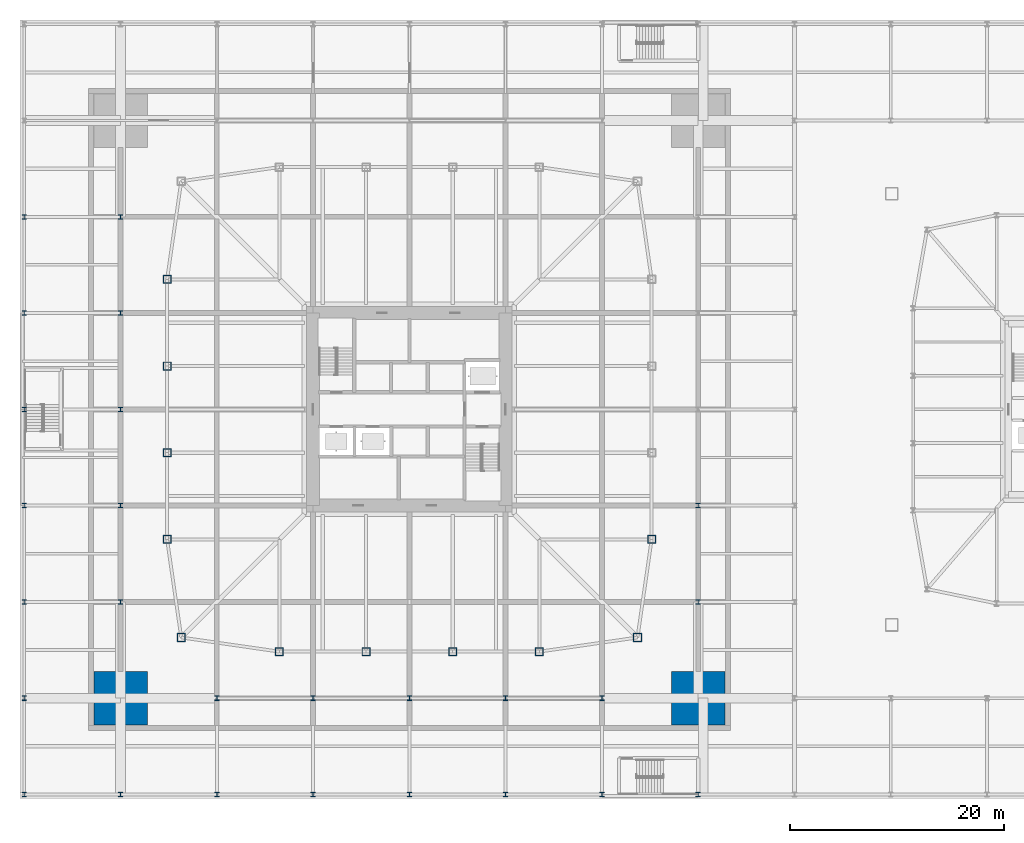
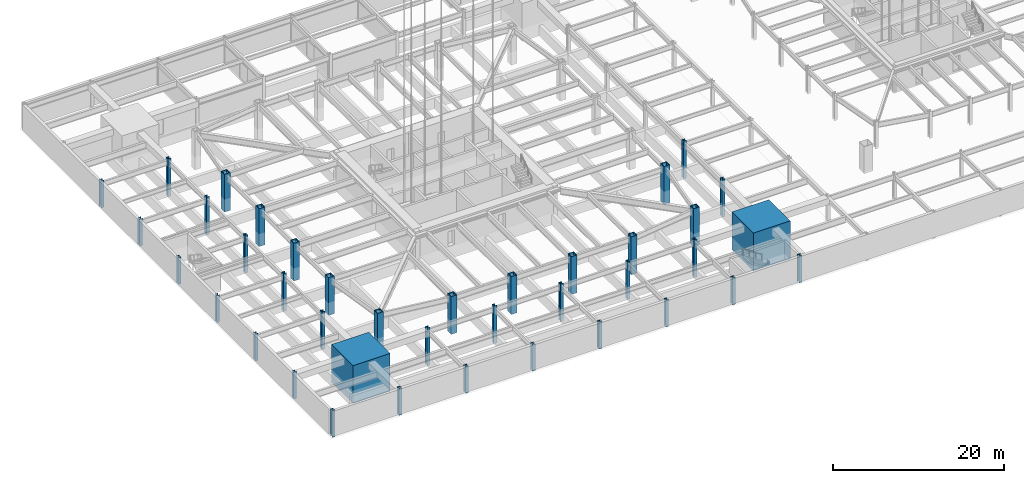
# One storey, part 1 of 35: 39 columns.
"""IFC4 building model written with IfcOpenShell, lengths in metres."""

from ifc_helpers import new_model, si_unit, direction, frame, origin, origin_2d, place, context, subcontext, project, spatial, rectangle, hollow_rectangle, i_section, extrude, material, material_profile, profile_set, type_object, element, save


model = new_model("IFC4")

# Units and contexts
model_context = context("Model", 3, precision=1e-05, world=origin(), true_north=direction((0.0, 1.0)))
body_context = subcontext(model_context, "Body", "Model", "MODEL_VIEW")
ifc_project = project(units=[si_unit("LENGTHUNIT", "METRE"), si_unit("AREAUNIT", "SQUARE_METRE"), si_unit("VOLUMEUNIT", "CUBIC_METRE"), si_unit("PLANEANGLEUNIT", "RADIAN"), si_unit("MASSUNIT", "GRAM", prefix="KILO")], contexts=[model_context])

# Site, building, storey
site_placement = place(None, origin())
site = spatial("IfcSite", under=ifc_project, at=site_placement, CompositionType="ELEMENT")
building_placement = place(site_placement, origin())
building = spatial("IfcBuilding", under=site, at=building_placement, Name="Iwan Alto Co-Living Towers", CompositionType="ELEMENT")
storey_placement = place(building_placement, frame((0.0, 0.0, -7.199951171875)))
storey = spatial("IfcBuildingStorey", under=building, at=storey_placement, Name="B2", CompositionType="ELEMENT", Elevation=-7.199951171875)

# Columns
ifc_material_1 = material(Name="Steel ASTM A992 Gr 50", Category="steel")
ifc_material_profile_1 = material_profile(ifc_material_1, i_section(OverallWidth=0.411376953125, OverallDepth=0.434326171875, WebThickness=0.035888671875, FlangeThickness=0.057373046875, at=origin_2d()), Name="W14X311")
ifc_profile_set_1 = profile_set([ifc_material_profile_1], Name="Steel ASTM A992 Gr 50")
column_type_1 = type_object("IfcColumnType", Name="PODIUM COLUMN W14X311", PredefinedType="COLUMN", material=ifc_profile_set_1)
for number, where, z_axis, x_axis, name in (
    (1, (-36.0, -36.0, -0.25), (0.0, 0.0, 1.0), (1.0, 0.0, 0.0), "Podium column 1/A B2"),
    (2, (-36.0, -27.0, -0.25), (0.0, 0.0, 1.0), (1.0, 0.0, 0.0), "Podium column 1/B B2"),
    (3, (-36.0, -18.0, -0.25), (0.0, 0.0, 1.0), (1.0, 0.0, 0.0), "Podium column 1/C B2"),
    (4, (-36.0, -9.0, -0.25), (0.0, 0.0, 1.0), (1.0, 0.0, 0.0), "Podium column 1/D B2"),
    (5, (-36.0, 0.0, -0.25), (0.0, 0.0, 1.0), (1.0, 0.0, 0.0), "Podium column 1/E B2"),
    (6, (-36.0, 9.0, -0.25), (0.0, 0.0, 1.0), (1.0, 0.0, 0.0), "Podium column 1/F B2"),
    (7, (-36.0, 18.0, -0.25), (0.0, 0.0, 1.0), (1.0, 0.0, 0.0), "Podium column 1/G B2"),
    (8, (-27.0, -36.0, -0.25), (0.0, 0.0, 1.0), (1.0, 0.0, 0.0), "Podium column 2/A B2"),
):
    element("IfcColumn", number, at=place(storey_placement, frame(where, z_axis=z_axis, x_axis=x_axis)), inside=storey, type_object=column_type_1, Name=name, PredefinedType="COLUMN", context=body_context, shape_type="SweptSolid", body=[
        extrude(i_section(OverallWidth=0.411376953125, OverallDepth=0.434326171875, WebThickness=0.035888671875, FlangeThickness=0.057373046875, at=origin_2d()), origin(), (0.0, 0.0, 1.0), 3.849853515625),
    ])
for number, where, z_axis, x_axis, name in (
    (9, (-27.0, -18.0, -1.800048828125), (0.0, 0.0, 1.0), (1.0, 0.0, 0.0), "Podium column 2/C B2"),
    (10, (-27.0, -9.0, -1.800048828125), (0.0, 0.0, 1.0), (1.0, 0.0, 0.0), "Podium column 2/D B2"),
    (11, (-27.0, 0.0, -1.800048828125), (0.0, 0.0, 1.0), (1.0, 0.0, 0.0), "Podium column 2/E B2"),
    (12, (-27.0, 9.0, -1.800048828125), (0.0, 0.0, 1.0), (1.0, 0.0, 0.0), "Podium column 2/F B2"),
    (13, (-27.0, 18.0, -1.800048828125), (0.0, 0.0, 1.0), (1.0, 0.0, 0.0), "Podium column 2/G B2"),
):
    element("IfcColumn", number, at=place(storey_placement, frame(where, z_axis=z_axis, x_axis=x_axis)), inside=storey, type_object=column_type_1, Name=name, PredefinedType="COLUMN", context=body_context, shape_type="SweptSolid", body=[
        extrude(i_section(OverallWidth=0.411376953125, OverallDepth=0.434326171875, WebThickness=0.035888671875, FlangeThickness=0.057373046875, at=origin_2d()), origin(), (0.0, 0.0, 1.0), 5.39990234375),
    ])
column_1_placement = place(storey_placement, frame((-18.0, -36.0, -0.25), z_axis=(0.0, 0.0, 1.0), x_axis=(1.0, 0.0, 0.0)))
element("IfcColumn", 14, at=column_1_placement, inside=storey, type_object=column_type_1, Name="Podium column 3/A B2", PredefinedType="COLUMN", context=body_context, shape_type="SweptSolid", body=[
    extrude(i_section(OverallWidth=0.411376953125, OverallDepth=0.434326171875, WebThickness=0.035888671875, FlangeThickness=0.057373046875, at=origin_2d()), origin(), (0.0, 0.0, 1.0), 3.849853515625),
])
column_2_placement = place(storey_placement, frame((-18.0, -27.0, -1.800048828125), z_axis=(0.0, 0.0, 1.0), x_axis=(1.0, 0.0, 0.0)))
element("IfcColumn", 15, at=column_2_placement, inside=storey, type_object=column_type_1, Name="Podium column 3/B B2", PredefinedType="COLUMN", context=body_context, shape_type="SweptSolid", body=[
    extrude(i_section(OverallWidth=0.411376953125, OverallDepth=0.434326171875, WebThickness=0.035888671875, FlangeThickness=0.057373046875, at=origin_2d()), origin(), (0.0, 0.0, 1.0), 5.39990234375),
])
column_3_placement = place(storey_placement, frame((-9.0, -36.0, -0.25), z_axis=(0.0, 0.0, 1.0), x_axis=(1.0, 0.0, 0.0)))
element("IfcColumn", 16, at=column_3_placement, inside=storey, type_object=column_type_1, Name="Podium column 4/A B2", PredefinedType="COLUMN", context=body_context, shape_type="SweptSolid", body=[
    extrude(i_section(OverallWidth=0.411376953125, OverallDepth=0.434326171875, WebThickness=0.035888671875, FlangeThickness=0.057373046875, at=origin_2d()), origin(), (0.0, 0.0, 1.0), 3.849853515625),
])
column_4_placement = place(storey_placement, frame((-9.0, -27.0, -1.800048828125), z_axis=(0.0, 0.0, 1.0), x_axis=(1.0, 0.0, 0.0)))
element("IfcColumn", 17, at=column_4_placement, inside=storey, type_object=column_type_1, Name="Podium column 4/B B2", PredefinedType="COLUMN", context=body_context, shape_type="SweptSolid", body=[
    extrude(i_section(OverallWidth=0.411376953125, OverallDepth=0.434326171875, WebThickness=0.035888671875, FlangeThickness=0.057373046875, at=origin_2d()), origin(), (0.0, 0.0, 1.0), 5.39990234375),
])
column_5_placement = place(storey_placement, frame((0.0, -36.0, -0.25), z_axis=(0.0, 0.0, 1.0), x_axis=(1.0, 0.0, 0.0)))
element("IfcColumn", 18, at=column_5_placement, inside=storey, type_object=column_type_1, Name="Podium column 5/A B2", PredefinedType="COLUMN", context=body_context, shape_type="SweptSolid", body=[
    extrude(i_section(OverallWidth=0.411376953125, OverallDepth=0.434326171875, WebThickness=0.035888671875, FlangeThickness=0.057373046875, at=origin_2d()), origin(), (0.0, 0.0, 1.0), 3.849853515625),
])
column_6_placement = place(storey_placement, frame((0.0, -27.0, -1.800048828125), z_axis=(0.0, 0.0, 1.0), x_axis=(1.0, 0.0, 0.0)))
element("IfcColumn", 19, at=column_6_placement, inside=storey, type_object=column_type_1, Name="Podium column 5/B B2", PredefinedType="COLUMN", context=body_context, shape_type="SweptSolid", body=[
    extrude(i_section(OverallWidth=0.411376953125, OverallDepth=0.434326171875, WebThickness=0.035888671875, FlangeThickness=0.057373046875, at=origin_2d()), origin(), (0.0, 0.0, 1.0), 5.39990234375),
])
column_7_placement = place(storey_placement, frame((9.0, -36.0, -0.25), z_axis=(0.0, 0.0, 1.0), x_axis=(1.0, 0.0, 0.0)))
element("IfcColumn", 20, at=column_7_placement, inside=storey, type_object=column_type_1, Name="Podium column 6/A B2", PredefinedType="COLUMN", context=body_context, shape_type="SweptSolid", body=[
    extrude(i_section(OverallWidth=0.411376953125, OverallDepth=0.434326171875, WebThickness=0.035888671875, FlangeThickness=0.057373046875, at=origin_2d()), origin(), (0.0, 0.0, 1.0), 3.849853515625),
])
column_8_placement = place(storey_placement, frame((9.0, -27.0, -1.800048828125), z_axis=(0.0, 0.0, 1.0), x_axis=(1.0, 0.0, 0.0)))
element("IfcColumn", 21, at=column_8_placement, inside=storey, type_object=column_type_1, Name="Podium column 6/B B2", PredefinedType="COLUMN", context=body_context, shape_type="SweptSolid", body=[
    extrude(i_section(OverallWidth=0.411376953125, OverallDepth=0.434326171875, WebThickness=0.035888671875, FlangeThickness=0.057373046875, at=origin_2d()), origin(), (0.0, 0.0, 1.0), 5.39990234375),
])
column_9_placement = place(storey_placement, frame((18.0, -36.0, -0.25), z_axis=(0.0, 0.0, 1.0), x_axis=(1.0, 0.0, 0.0)))
element("IfcColumn", 22, at=column_9_placement, inside=storey, type_object=column_type_1, Name="Podium column 7/A B2", PredefinedType="COLUMN", context=body_context, shape_type="SweptSolid", body=[
    extrude(i_section(OverallWidth=0.411376953125, OverallDepth=0.434326171875, WebThickness=0.035888671875, FlangeThickness=0.057373046875, at=origin_2d()), origin(), (0.0, 0.0, 1.0), 3.849853515625),
])
column_10_placement = place(storey_placement, frame((18.0, -27.0, -1.800048828125), z_axis=(0.0, 0.0, 1.0), x_axis=(1.0, 0.0, 0.0)))
element("IfcColumn", 23, at=column_10_placement, inside=storey, type_object=column_type_1, Name="Podium column 7/B B2", PredefinedType="COLUMN", context=body_context, shape_type="SweptSolid", body=[
    extrude(i_section(OverallWidth=0.411376953125, OverallDepth=0.434326171875, WebThickness=0.035888671875, FlangeThickness=0.057373046875, at=origin_2d()), origin(), (0.0, 0.0, 1.0), 5.39990234375),
])
column_11_placement = place(storey_placement, frame((27.0, -36.0, -0.25), z_axis=(0.0, 0.0, 1.0), x_axis=(1.0, 0.0, 0.0)))
element("IfcColumn", 24, at=column_11_placement, inside=storey, type_object=column_type_1, Name="Podium column 8/A B2", PredefinedType="COLUMN", context=body_context, shape_type="SweptSolid", body=[
    extrude(i_section(OverallWidth=0.411376953125, OverallDepth=0.434326171875, WebThickness=0.035888671875, FlangeThickness=0.057373046875, at=origin_2d()), origin(), (0.0, 0.0, 1.0), 3.849853515625),
])
for number, where, z_axis, x_axis, name in (
    (25, (27.0, -18.0, -1.800048828125), (0.0, 0.0, 1.0), (1.0, 0.0, 0.0), "Podium column 8/C B2"),
    (26, (27.0, -9.0, -1.800048828125), (0.0, 0.0, 1.0), (1.0, 0.0, 0.0), "Podium column 8/D B2"),
):
    element("IfcColumn", number, at=place(storey_placement, frame(where, z_axis=z_axis, x_axis=x_axis)), inside=storey, type_object=column_type_1, Name=name, PredefinedType="COLUMN", context=body_context, shape_type="SweptSolid", body=[
        extrude(i_section(OverallWidth=0.411376953125, OverallDepth=0.434326171875, WebThickness=0.035888671875, FlangeThickness=0.057373046875, at=origin_2d()), origin(), (0.0, 0.0, 1.0), 5.39990234375),
    ])
ifc_material_2 = material(Name="Concrete f'c 70 MPa", Category="concrete")
ifc_material_profile_2 = material_profile(ifc_material_2, rectangle(XDim=5.0, YDim=5.0, at=origin_2d()), Name="RC 5000X5000")
ifc_profile_set_2 = profile_set([ifc_material_profile_2], Name="Concrete f'c 70 MPa")
column_type_2 = type_object("IfcColumnType", Name="T1 MEGA COLUMN RC 5000X5000", PredefinedType="COLUMN", material=ifc_profile_set_2)
for number, where, z_axis, x_axis, name in (
    (27, (-27.0, -27.0, -1.800048828125), (0.0, 0.0, 1.0), (1.0, 0.0, 0.0), "T1 mega column SW B2"),
    (28, (27.0, -27.0, -1.800048828125), (0.0, 0.0, 1.0), (1.0, 0.0, 0.0), "T1 mega column SE B2"),
):
    element("IfcColumn", number, at=place(storey_placement, frame(where, z_axis=z_axis, x_axis=x_axis)), inside=storey, type_object=column_type_2, Name=name, PredefinedType="COLUMN", context=body_context, shape_type="SweptSolid", body=[
        extrude(rectangle(XDim=5.0, YDim=5.0, at=origin_2d()), origin(), (0.0, 0.0, 1.0), 5.39990234375),
        extrude(i_section(OverallWidth=0.4775390625, OverallDepth=0.599365234375, WebThickness=0.10009765625, FlangeThickness=0.139892578125, at=origin_2d()), origin(), (0.0, 0.0, 1.0), 5.39990234375),
    ])
ifc_material_3 = material(Name="Steel ASTM A572 Gr 50", Category="steel")
ifc_material_profile_3 = material_profile(ifc_material_3, hollow_rectangle(XDim=0.800048828125, YDim=0.800048828125, WallThickness=0.090087890625, at=origin_2d()), Name="BOX 800X800X90")
ifc_profile_set_3 = profile_set([ifc_material_profile_3], Name="Steel ASTM A572 Gr 50")
column_type_3 = type_object("IfcColumnType", Name="T1 RING COLUMN BOX 800X800X90", PredefinedType="COLUMN", material=ifc_profile_set_3)
for number, where, z_axis, x_axis, name in (
    (29, (-21.32568359375, -21.32568359375, -1.800048828125), (0.0, 0.0, 1.0), (1.0, 0.0, 0.0), "T1 ring column CSW B2"),
    (30, (-12.14990234375, -22.64990234375, -1.800048828125), (0.0, 0.0, 1.0), (1.0, 0.0, 0.0), "T1 ring column S1 B2"),
    (31, (-4.050048828125, -22.64990234375, -1.800048828125), (0.0, 0.0, 1.0), (1.0, 0.0, 0.0), "T1 ring column S2 B2"),
    (32, (4.050048828125, -22.64990234375, -1.800048828125), (0.0, 0.0, 1.0), (1.0, 0.0, 0.0), "T1 ring column S3 B2"),
    (33, (12.14990234375, -22.64990234375, -1.800048828125), (0.0, 0.0, 1.0), (1.0, 0.0, 0.0), "T1 ring column S4 B2"),
    (34, (21.32568359375, -21.32568359375, -1.800048828125), (0.0, 0.0, 1.0), (1.0, 0.0, 0.0), "T1 ring column CSE B2"),
    (35, (22.64990234375, -12.14990234375, -1.800048828125), (0.0, 0.0, 1.0), (1.0, 0.0, 0.0), "T1 ring column E1 B2"),
    (36, (-22.64990234375, 12.14990234375, -1.800048828125), (0.0, 0.0, 1.0), (1.0, 0.0, 0.0), "T1 ring column W1 B2"),
    (37, (-22.64990234375, 4.050048828125, -1.800048828125), (0.0, 0.0, 1.0), (1.0, 0.0, 0.0), "T1 ring column W2 B2"),
    (38, (-22.64990234375, -4.050048828125, -1.800048828125), (0.0, 0.0, 1.0), (1.0, 0.0, 0.0), "T1 ring column W3 B2"),
    (39, (-22.64990234375, -12.14990234375, -1.800048828125), (0.0, 0.0, 1.0), (1.0, 0.0, 0.0), "T1 ring column W4 B2"),
):
    element("IfcColumn", number, at=place(storey_placement, frame(where, z_axis=z_axis, x_axis=x_axis)), inside=storey, type_object=column_type_3, Name=name, PredefinedType="COLUMN", context=body_context, shape_type="SweptSolid", body=[
        extrude(hollow_rectangle(XDim=0.800048828125, YDim=0.800048828125, WallThickness=0.090087890625, at=origin_2d()), origin(), (0.0, 0.0, 1.0), 5.39990234375),
    ])

save(model, "model.ifc")
